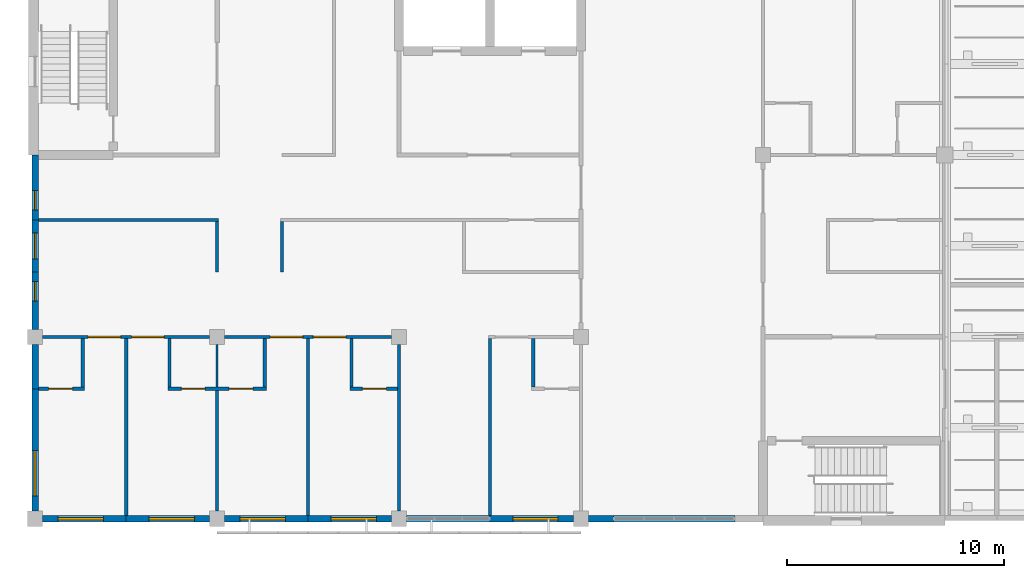
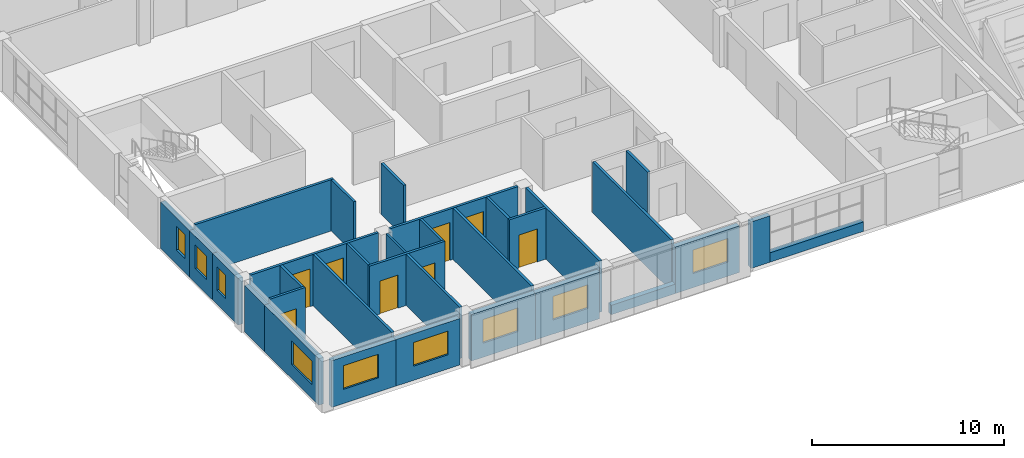
# One storey, part 27 of 61: 32 walls, 9 windows, 8 doors, 17 openings.
"""IFC4 building model written with IfcOpenShell, lengths in metres."""

from ifc_helpers import new_model, si_unit, direction, frame, frame_2d, origin, place, context, subcontext, project, spatial, rectangle, extrude, material, layer, layer_set, type_object, element, fill, save


model = new_model("IFC4")

# Units and contexts
model_context = context("Model", 3, precision=1e-05, world=origin(), true_north=direction((0.0, 1.0)))
body_context = subcontext(model_context, "Body", "Model", "MODEL_VIEW")
ifc_project = project(units=[si_unit("LENGTHUNIT", "METRE"), si_unit("AREAUNIT", "SQUARE_METRE"), si_unit("VOLUMEUNIT", "CUBIC_METRE"), si_unit("PLANEANGLEUNIT", "RADIAN"), si_unit("MASSUNIT", "GRAM", prefix="KILO")], contexts=[model_context])

# Site, building, storey
site_placement = place(None, origin())
site = spatial("IfcSite", under=ifc_project, at=site_placement, CompositionType="ELEMENT")
building_placement = place(site_placement, origin())
building = spatial("IfcBuilding", under=site, at=building_placement, Name="Yavir Park General Hospital", CompositionType="ELEMENT")
storey_placement = place(building_placement, frame((0.0, 0.0, 15.300048828125)))
storey = spatial("IfcBuildingStorey", under=building, at=storey_placement, Name="L03", CompositionType="ELEMENT", Elevation=15.300048828125)

# Wall
ifc_material_1 = material(Name="Gypsum board partition on steel studs", Category="steel")
ifc_layer_1 = layer(ifc_material_1, 0.10009765625)
ifc_layer_set_1 = layer_set([ifc_layer_1], Name="Gypsum board partition on steel studs")
wall_type_1 = type_object("IfcWallType", Name="Gypsum board partition 100", PredefinedType="PARTITIONING", material=ifc_layer_set_1)
wall_1_placement = place(storey_placement, frame((8.39990234375, 6.074951171875, 0.0), z_axis=(0.0, 0.0, 1.0), x_axis=(0.0, 1.0, 0.0)))
element("IfcWall", 1, at=wall_1_placement, inside=storey, type_object=wall_type_1, Name="P10 L03-165", PredefinedType="PARTITIONING", context=body_context, shape_type="SweptSolid", body=[
    extrude(rectangle(XDim=1.97509765625, YDim=0.10009765625, at=frame_2d((0.987548828125, 0.0))), origin(), (0.0, 0.0, 1.0), 3.260009765625),
])

# Wall, opening, door
ifc_material_2 = material(Name="Gypsum board partition on steel studs", Category="steel")
ifc_layer_2 = layer(ifc_material_2, 0.14990234375)
ifc_layer_set_2 = layer_set([ifc_layer_2], Name="Gypsum board partition on steel studs")
wall_type_2 = type_object("IfcWallType", Name="Gypsum board partition 150", PredefinedType="PARTITIONING", material=ifc_layer_set_2)
wall_2_placement = place(storey_placement, frame((0.14990234375, 6.0, 0.0), z_axis=(0.0, 0.0, 1.0), x_axis=(1.0, 0.0, 0.0)))
wall_2 = element("IfcWall", 2, at=wall_2_placement, inside=storey, type_object=wall_type_2, Name="P15 L03-005", PredefinedType="PARTITIONING", context=body_context, shape_type="SweptSolid", body=[
    extrude(rectangle(XDim=2.125, YDim=0.14990234375, at=frame_2d((1.0625, 0.0))), origin(), (0.0, 0.0, 1.0), 3.260009765625),
])
opening_1_placement = place(wall_2_placement, frame((0.47509765625, 0.0, 0.0)))
opening_1 = element("IfcOpeningElement", 3, at=opening_1_placement, cuts=wall_2, Name="Opening L03.D005", PredefinedType="OPENING", context=body_context, shape_type="SweptSolid", body=[
    extrude(rectangle(XDim=1.10009765625, YDim=2.10009765625, at=frame_2d((0.550048828125, 1.050048828125))), frame((0.0, 0.0849609375, 0.0), z_axis=(0.0, -1.0, 0.0), x_axis=(1.0, 0.0, 0.0)), (0.0, 0.0, 1.0), 0.169921875),
])
ifc_material_3 = material(Name="Hollow metal frame, solid-core timber leaf", Category="wood")
door_type_1 = type_object("IfcDoorType", Name="Single swing door 1100 x 2100", OperationType="SINGLE_SWING_LEFT", PredefinedType="DOOR", material=ifc_material_3)
door_1_placement = place(opening_1_placement, origin())
door_1 = element("IfcDoor", 4, at=door_1_placement, inside=storey, type_object=door_type_1, Name="L03.D005", OperationType="SINGLE_SWING_LEFT", OverallHeight=2.10009765625, OverallWidth=1.10009765625, PredefinedType="DOOR", context=body_context, shape_type="SweptSolid", body=[
    extrude(rectangle(XDim=1.10009765625, YDim=2.10009765625, at=frame_2d((0.550048828125, 1.050048828125))), frame((0.0, 0.02490234375, 0.0), z_axis=(0.0, -1.0, 0.0), x_axis=(1.0, 0.0, 0.0)), (0.0, 0.0, 1.0), 0.050048828125),
])
fill(opening_1, door_1)

# Wall, openings, doors
wall_3_placement = place(storey_placement, frame((6.125, 6.0, 0.0), z_axis=(0.0, 0.0, 1.0), x_axis=(1.0, 0.0, 0.0)))
wall_3 = element("IfcWall", 5, at=wall_3_placement, inside=storey, type_object=wall_type_2, Name="P15 L03-006", PredefinedType="PARTITIONING", context=body_context, shape_type="SweptSolid", body=[
    extrude(rectangle(XDim=4.550048828125, YDim=0.14990234375, at=frame_2d((2.27490234375, 0.0))), origin(), (0.0, 0.0, 1.0), 3.260009765625),
])
opening_2_placement = place(wall_3_placement, frame((0.625, 0.0, 0.0)))
opening_2 = element("IfcOpeningElement", 6, at=opening_2_placement, cuts=wall_3, Name="Opening L03.D006", PredefinedType="OPENING", context=body_context, shape_type="SweptSolid", body=[
    extrude(rectangle(XDim=1.10009765625, YDim=2.10009765625, at=frame_2d((0.550048828125, 1.050048828125))), frame((0.0, 0.0849609375, 0.0), z_axis=(0.0, -1.0, 0.0), x_axis=(1.0, 0.0, 0.0)), (0.0, 0.0, 1.0), 0.169921875),
])
opening_3_placement = place(wall_3_placement, frame((2.824951171875, 0.0, 0.0)))
opening_3 = element("IfcOpeningElement", 7, at=opening_3_placement, cuts=wall_3, Name="Opening L03.D007", PredefinedType="OPENING", context=body_context, shape_type="SweptSolid", body=[
    extrude(rectangle(XDim=1.10009765625, YDim=2.10009765625, at=frame_2d((0.550048828125, 1.050048828125))), frame((0.0, 0.0849609375, 0.0), z_axis=(0.0, -1.0, 0.0), x_axis=(1.0, 0.0, 0.0)), (0.0, 0.0, 1.0), 0.169921875),
])
door_2_placement = place(opening_2_placement, origin())
door_2 = element("IfcDoor", 8, at=door_2_placement, inside=storey, type_object=door_type_1, Name="L03.D006", OperationType="SINGLE_SWING_RIGHT", OverallHeight=2.10009765625, OverallWidth=1.10009765625, PredefinedType="DOOR", context=body_context, shape_type="SweptSolid", body=[
    extrude(rectangle(XDim=1.10009765625, YDim=2.10009765625, at=frame_2d((0.550048828125, 1.050048828125))), frame((0.0, 0.02490234375, 0.0), z_axis=(0.0, -1.0, 0.0), x_axis=(1.0, 0.0, 0.0)), (0.0, 0.0, 1.0), 0.050048828125),
])
fill(opening_2, door_2)
door_3_placement = place(opening_3_placement, origin())
door_3 = element("IfcDoor", 9, at=door_3_placement, inside=storey, type_object=door_type_1, Name="L03.D007", OperationType="SINGLE_SWING_LEFT", OverallHeight=2.10009765625, OverallWidth=1.10009765625, PredefinedType="DOOR", context=body_context, shape_type="SweptSolid", body=[
    extrude(rectangle(XDim=1.10009765625, YDim=2.10009765625, at=frame_2d((0.550048828125, 1.050048828125))), frame((0.0, 0.02490234375, 0.0), z_axis=(0.0, -1.0, 0.0), x_axis=(1.0, 0.0, 0.0)), (0.0, 0.0, 1.0), 0.050048828125),
])
fill(opening_3, door_3)

# Wall, opening, door
wall_4_placement = place(storey_placement, frame((14.52490234375, 6.0, 0.0), z_axis=(0.0, 0.0, 1.0), x_axis=(1.0, 0.0, 0.0)))
wall_4 = element("IfcWall", 10, at=wall_4_placement, inside=storey, type_object=wall_type_2, Name="P15 L03-007", PredefinedType="PARTITIONING", context=body_context, shape_type="SweptSolid", body=[
    extrude(rectangle(XDim=2.2001953125, YDim=0.14990234375, at=frame_2d((1.10009765625, 0.0))), origin(), (0.0, 0.0, 1.0), 3.260009765625),
])
opening_4_placement = place(wall_4_placement, frame((0.58740234375, 0.0, 0.0)))
opening_4 = element("IfcOpeningElement", 11, at=opening_4_placement, cuts=wall_4, Name="Opening L03.D008", PredefinedType="OPENING", context=body_context, shape_type="SweptSolid", body=[
    extrude(rectangle(XDim=1.10009765625, YDim=2.10009765625, at=frame_2d((0.550048828125, 1.050048828125))), frame((0.0, 0.0849609375, 0.0), z_axis=(0.0, -1.0, 0.0), x_axis=(1.0, 0.0, 0.0)), (0.0, 0.0, 1.0), 0.169921875),
])
door_4_placement = place(opening_4_placement, origin())
door_4 = element("IfcDoor", 12, at=door_4_placement, inside=storey, type_object=door_type_1, Name="L03.D008", OperationType="SINGLE_SWING_RIGHT", OverallHeight=2.10009765625, OverallWidth=1.10009765625, PredefinedType="DOOR", context=body_context, shape_type="SweptSolid", body=[
    extrude(rectangle(XDim=1.10009765625, YDim=2.10009765625, at=frame_2d((0.550048828125, 1.050048828125))), frame((0.0, 0.02490234375, 0.0), z_axis=(0.0, -1.0, 0.0), x_axis=(1.0, 0.0, 0.0)), (0.0, 0.0, 1.0), 0.050048828125),
])
fill(opening_4, door_4)

# Wall, openings, doors
wall_5_placement = place(storey_placement, frame((0.35009765625, 8.39990234375, 0.0), z_axis=(0.0, 0.0, 1.0), x_axis=(1.0, 0.0, 0.0)))
wall_5 = element("IfcWall", 13, at=wall_5_placement, inside=storey, type_object=wall_type_2, Name="P15 L03-014", PredefinedType="PARTITIONING", context=body_context, shape_type="SweptSolid", body=[
    extrude(rectangle(XDim=7.699951171875, YDim=0.14990234375, at=frame_2d((3.85009765625, 0.0))), origin(), (0.0, 0.0, 1.0), 3.260009765625),
])
opening_5_placement = place(wall_5_placement, frame((2.10009765625, 0.0, 0.0)))
opening_5 = element("IfcOpeningElement", 14, at=opening_5_placement, cuts=wall_5, Name="Opening L03.D020", PredefinedType="OPENING", context=body_context, shape_type="SweptSolid", body=[
    extrude(rectangle(XDim=1.5, YDim=2.39990234375, at=frame_2d((0.75, 1.199951171875))), frame((0.0, 0.0849609375, 0.0), z_axis=(0.0, -1.0, 0.0), x_axis=(1.0, 0.0, 0.0)), (0.0, 0.0, 1.0), 0.169921875),
])
opening_6_placement = place(wall_5_placement, frame((4.10009765625, 0.0, 0.0)))
opening_6 = element("IfcOpeningElement", 15, at=opening_6_placement, cuts=wall_5, Name="Opening L03.D021", PredefinedType="OPENING", context=body_context, shape_type="SweptSolid", body=[
    extrude(rectangle(XDim=1.5, YDim=2.39990234375, at=frame_2d((0.75, 1.199951171875))), frame((0.0, 0.0849609375, 0.0), z_axis=(0.0, -1.0, 0.0), x_axis=(1.0, 0.0, 0.0)), (0.0, 0.0, 1.0), 0.169921875),
])
ifc_material_4 = material(Name="Solid-core timber leaves, push plates, kick plates", Category="wood")
door_type_2 = type_object("IfcDoorType", Name="Bed door, unequal leaves 1500 x 2400", OperationType="DOUBLE_DOOR_SINGLE_SWING", PredefinedType="DOOR", material=ifc_material_4)
door_5_placement = place(opening_5_placement, origin())
door_5 = element("IfcDoor", 16, at=door_5_placement, inside=storey, type_object=door_type_2, Name="L03.D020", OperationType="SINGLE_SWING_LEFT", OverallHeight=2.39990234375, OverallWidth=1.5, PredefinedType="DOOR", context=body_context, shape_type="SweptSolid", body=[
    extrude(rectangle(XDim=1.5, YDim=2.39990234375, at=frame_2d((0.75, 1.199951171875))), frame((0.0, 0.030029296875, 0.0), z_axis=(0.0, -1.0, 0.0), x_axis=(1.0, 0.0, 0.0)), (0.0, 0.0, 1.0), 0.06005859375),
])
fill(opening_5, door_5)
door_6_placement = place(opening_6_placement, origin())
door_6 = element("IfcDoor", 17, at=door_6_placement, inside=storey, type_object=door_type_2, Name="L03.D021", OperationType="SINGLE_SWING_LEFT", OverallHeight=2.39990234375, OverallWidth=1.5, PredefinedType="DOOR", context=body_context, shape_type="SweptSolid", body=[
    extrude(rectangle(XDim=1.5, YDim=2.39990234375, at=frame_2d((0.75, 1.199951171875))), frame((0.0, 0.030029296875, 0.0), z_axis=(0.0, -1.0, 0.0), x_axis=(1.0, 0.0, 0.0)), (0.0, 0.0, 1.0), 0.06005859375),
])
fill(opening_6, door_6)

wall_6_placement = place(storey_placement, frame((8.75, 8.39990234375, 0.0), z_axis=(0.0, 0.0, 1.0), x_axis=(1.0, 0.0, 0.0)))
wall_6 = element("IfcWall", 18, at=wall_6_placement, inside=storey, type_object=wall_type_2, Name="P15 L03-015", PredefinedType="PARTITIONING", context=body_context, shape_type="SweptSolid", body=[
    extrude(rectangle(XDim=7.699951171875, YDim=0.14990234375, at=frame_2d((3.85009765625, 0.0))), origin(), (0.0, 0.0, 1.0), 3.260009765625),
])
opening_7_placement = place(wall_6_placement, frame((2.10009765625, 0.0, 0.0)))
opening_7 = element("IfcOpeningElement", 19, at=opening_7_placement, cuts=wall_6, Name="Opening L03.D022", PredefinedType="OPENING", context=body_context, shape_type="SweptSolid", body=[
    extrude(rectangle(XDim=1.5, YDim=2.39990234375, at=frame_2d((0.75, 1.199951171875))), frame((0.0, 0.0849609375, 0.0), z_axis=(0.0, -1.0, 0.0), x_axis=(1.0, 0.0, 0.0)), (0.0, 0.0, 1.0), 0.169921875),
])
opening_8_placement = place(wall_6_placement, frame((4.10009765625, 0.0, 0.0)))
opening_8 = element("IfcOpeningElement", 20, at=opening_8_placement, cuts=wall_6, Name="Opening L03.D023", PredefinedType="OPENING", context=body_context, shape_type="SweptSolid", body=[
    extrude(rectangle(XDim=1.5, YDim=2.39990234375, at=frame_2d((0.75, 1.199951171875))), frame((0.0, 0.0849609375, 0.0), z_axis=(0.0, -1.0, 0.0), x_axis=(1.0, 0.0, 0.0)), (0.0, 0.0, 1.0), 0.169921875),
])
door_7_placement = place(opening_7_placement, origin())
door_7 = element("IfcDoor", 21, at=door_7_placement, inside=storey, type_object=door_type_2, Name="L03.D022", OperationType="SINGLE_SWING_LEFT", OverallHeight=2.39990234375, OverallWidth=1.5, PredefinedType="DOOR", context=body_context, shape_type="SweptSolid", body=[
    extrude(rectangle(XDim=1.5, YDim=2.39990234375, at=frame_2d((0.75, 1.199951171875))), frame((0.0, 0.030029296875, 0.0), z_axis=(0.0, -1.0, 0.0), x_axis=(1.0, 0.0, 0.0)), (0.0, 0.0, 1.0), 0.06005859375),
])
fill(opening_7, door_7)
door_8_placement = place(opening_8_placement, origin())
door_8 = element("IfcDoor", 22, at=door_8_placement, inside=storey, type_object=door_type_2, Name="L03.D023", OperationType="SINGLE_SWING_LEFT", OverallHeight=2.39990234375, OverallWidth=1.5, PredefinedType="DOOR", context=body_context, shape_type="SweptSolid", body=[
    extrude(rectangle(XDim=1.5, YDim=2.39990234375, at=frame_2d((0.75, 1.199951171875))), frame((0.0, 0.030029296875, 0.0), z_axis=(0.0, -1.0, 0.0), x_axis=(1.0, 0.0, 0.0)), (0.0, 0.0, 1.0), 0.06005859375),
])
fill(opening_8, door_8)

# Walls
wall_7_placement = place(storey_placement, frame((0.14990234375, 13.800048828125, 0.0), z_axis=(0.0, 0.0, 1.0), x_axis=(1.0, 0.0, 0.0)))
element("IfcWall", 23, at=wall_7_placement, inside=storey, type_object=wall_type_2, Name="P15 L03-034", PredefinedType="PARTITIONING", context=body_context, shape_type="SweptSolid", body=[
    extrude(rectangle(XDim=8.3251953125, YDim=0.14990234375, at=frame_2d((4.16259765625, 0.0))), origin(), (0.0, 0.0, 1.0), 3.260009765625),
])
wall_8_placement = place(storey_placement, frame((2.199951171875, 6.074951171875, 0.0), z_axis=(0.0, 0.0, 1.0), x_axis=(0.0, 1.0, 0.0)))
element("IfcWall", 24, at=wall_8_placement, inside=storey, type_object=wall_type_2, Name="P15 L03-147", PredefinedType="PARTITIONING", context=body_context, shape_type="SweptSolid", body=[
    extrude(rectangle(XDim=2.25, YDim=0.14990234375, at=frame_2d((1.125, 0.0))), origin(), (0.0, 0.0, 1.0), 3.260009765625),
])
wall_9_placement = place(storey_placement, frame((4.199951171875, 0.14990234375, 0.0), z_axis=(0.0, 0.0, 1.0), x_axis=(0.0, 1.0, 0.0)))
element("IfcWall", 25, at=wall_9_placement, inside=storey, type_object=wall_type_2, Name="P15 L03-150", PredefinedType="PARTITIONING", context=body_context, shape_type="SweptSolid", body=[
    extrude(rectangle(XDim=8.175048828125, YDim=0.14990234375, at=frame_2d((4.08740234375, 0.0))), origin(), (0.0, 0.0, 1.0), 3.260009765625),
])
wall_10_placement = place(storey_placement, frame((6.199951171875, 6.074951171875, 0.0), z_axis=(0.0, 0.0, 1.0), x_axis=(0.0, 1.0, 0.0)))
element("IfcWall", 26, at=wall_10_placement, inside=storey, type_object=wall_type_2, Name="P15 L03-163", PredefinedType="PARTITIONING", context=body_context, shape_type="SweptSolid", body=[
    extrude(rectangle(XDim=2.25, YDim=0.14990234375, at=frame_2d((1.125, 0.0))), origin(), (0.0, 0.0, 1.0), 3.260009765625),
])
wall_11_placement = place(storey_placement, frame((8.39990234375, 0.35009765625, 0.0), z_axis=(0.0, 0.0, 1.0), x_axis=(0.0, 1.0, 0.0)))
element("IfcWall", 27, at=wall_11_placement, inside=storey, type_object=wall_type_2, Name="P15 L03-164", PredefinedType="PARTITIONING", context=body_context, shape_type="SweptSolid", body=[
    extrude(rectangle(XDim=5.574951171875, YDim=0.14990234375, at=frame_2d((2.78759765625, 0.0))), origin(), (0.0, 0.0, 1.0), 3.260009765625),
])
wall_12_placement = place(storey_placement, frame((8.39990234375, 11.39990234375, 0.0), z_axis=(0.0, 0.0, 1.0), x_axis=(0.0, 1.0, 0.0)))
element("IfcWall", 28, at=wall_12_placement, inside=storey, type_object=wall_type_2, Name="P15 L03-166", PredefinedType="PARTITIONING", context=body_context, shape_type="SweptSolid", body=[
    extrude(rectangle(XDim=2.3251953125, YDim=0.14990234375, at=frame_2d((1.16259765625, 0.0))), origin(), (0.0, 0.0, 1.0), 3.260009765625),
])
wall_13_placement = place(storey_placement, frame((10.60009765625, 6.074951171875, 0.0), z_axis=(0.0, 0.0, 1.0), x_axis=(0.0, 1.0, 0.0)))
element("IfcWall", 29, at=wall_13_placement, inside=storey, type_object=wall_type_2, Name="P15 L03-177", PredefinedType="PARTITIONING", context=body_context, shape_type="SweptSolid", body=[
    extrude(rectangle(XDim=2.25, YDim=0.14990234375, at=frame_2d((1.125, 0.0))), origin(), (0.0, 0.0, 1.0), 3.260009765625),
])
wall_14_placement = place(storey_placement, frame((11.39990234375, 11.39990234375, 0.0), z_axis=(0.0, 0.0, 1.0), x_axis=(0.0, 1.0, 0.0)))
element("IfcWall", 30, at=wall_14_placement, inside=storey, type_object=wall_type_2, Name="P15 L03-178", PredefinedType="PARTITIONING", context=body_context, shape_type="SweptSolid", body=[
    extrude(rectangle(XDim=2.3251953125, YDim=0.14990234375, at=frame_2d((1.16259765625, 0.0))), origin(), (0.0, 0.0, 1.0), 3.260009765625),
])
wall_15_placement = place(storey_placement, frame((12.60009765625, 0.14990234375, 0.0), z_axis=(0.0, 0.0, 1.0), x_axis=(0.0, 1.0, 0.0)))
element("IfcWall", 31, at=wall_15_placement, inside=storey, type_object=wall_type_2, Name="P15 L03-182", PredefinedType="PARTITIONING", context=body_context, shape_type="SweptSolid", body=[
    extrude(rectangle(XDim=8.175048828125, YDim=0.14990234375, at=frame_2d((4.08740234375, 0.0))), origin(), (0.0, 0.0, 1.0), 3.260009765625),
])
wall_16_placement = place(storey_placement, frame((14.60009765625, 6.074951171875, 0.0), z_axis=(0.0, 0.0, 1.0), x_axis=(0.0, 1.0, 0.0)))
element("IfcWall", 32, at=wall_16_placement, inside=storey, type_object=wall_type_2, Name="P15 L03-187", PredefinedType="PARTITIONING", context=body_context, shape_type="SweptSolid", body=[
    extrude(rectangle(XDim=2.25, YDim=0.14990234375, at=frame_2d((1.125, 0.0))), origin(), (0.0, 0.0, 1.0), 3.260009765625),
])
wall_17_placement = place(storey_placement, frame((16.800048828125, 0.35009765625, 0.0), z_axis=(0.0, 0.0, 1.0), x_axis=(0.0, 1.0, 0.0)))
element("IfcWall", 33, at=wall_17_placement, inside=storey, type_object=wall_type_2, Name="P15 L03-188", PredefinedType="PARTITIONING", context=body_context, shape_type="SweptSolid", body=[
    extrude(rectangle(XDim=7.699951171875, YDim=0.14990234375, at=frame_2d((3.85009765625, 0.0))), origin(), (0.0, 0.0, 1.0), 3.260009765625),
])
wall_18_placement = place(storey_placement, frame((21.0, 0.14990234375, 0.0), z_axis=(0.0, 0.0, 1.0), x_axis=(0.0, 1.0, 0.0)))
element("IfcWall", 34, at=wall_18_placement, inside=storey, type_object=wall_type_2, Name="P15 L03-210", PredefinedType="PARTITIONING", context=body_context, shape_type="SweptSolid", body=[
    extrude(rectangle(XDim=8.175048828125, YDim=0.14990234375, at=frame_2d((4.08740234375, 0.0))), origin(), (0.0, 0.0, 1.0), 3.260009765625),
])
wall_19_placement = place(storey_placement, frame((23.0, 6.074951171875, 0.0), z_axis=(0.0, 0.0, 1.0), x_axis=(0.0, 1.0, 0.0)))
element("IfcWall", 35, at=wall_19_placement, inside=storey, type_object=wall_type_2, Name="P15 L03-215", PredefinedType="PARTITIONING", context=body_context, shape_type="SweptSolid", body=[
    extrude(rectangle(XDim=2.25, YDim=0.14990234375, at=frame_2d((1.125, 0.0))), origin(), (0.0, 0.0, 1.0), 3.260009765625),
])

# Wall, opening, window
ifc_material_5 = material(Name="Autoclaved aerated block, mineral wool and ochre mineral render")
ifc_layer_3 = layer(ifc_material_5, 0.300048828125)
ifc_layer_set_3 = layer_set([ifc_layer_3], Name="Autoclaved aerated block, mineral wool and ochre mineral render")
wall_type_3 = type_object("IfcWallType", Name="Ochre render ward wall 300, E 30", PredefinedType="SOLIDWALL", material=ifc_layer_set_3)
wall_20_placement = place(storey_placement, frame((0.35009765625, 0.0, 0.0), z_axis=(0.0, 0.0, 1.0), x_axis=(1.0, 0.0, 0.0)))
wall_20 = element("IfcWall", 36, at=wall_20_placement, inside=storey, type_object=wall_type_3, Name="XW7 L03-001", PredefinedType="SOLIDWALL", context=body_context, shape_type="SweptSolid", body=[
    extrude(rectangle(XDim=3.849853515625, YDim=0.300048828125, at=frame_2d((1.9248046875, 0.0))), origin(), (0.0, 0.0, 1.0), 2.9599609375),
])
opening_9_placement = place(wall_20_placement, frame((0.699951171875, 0.0, 0.89990234375)))
opening_9 = element("IfcOpeningElement", 37, at=opening_9_placement, cuts=wall_20, Name="Opening WAR", PredefinedType="OPENING", context=body_context, shape_type="SweptSolid", body=[
    extrude(rectangle(XDim=2.10009765625, YDim=1.5, at=frame_2d((1.050048828125, 0.75))), frame((0.0, 0.159912109375, 0.0), z_axis=(0.0, -1.0, 0.0), x_axis=(1.0, 0.0, 0.0)), (0.0, 0.0, 1.0), 0.320068359375),
])
ifc_material_6 = material(Name="Aluminium frame, tilt-and-turn sash with opening restrictor, double glazed unit", Category="aluminium")
window_type_1 = type_object("IfcWindowType", Name="Ward window, restricted opening 2100 x 1500", PartitioningType="DOUBLE_PANEL_VERTICAL", PredefinedType="WINDOW", material=ifc_material_6)
window_1_placement = place(opening_9_placement, origin())
window_1 = element("IfcWindow", 38, at=window_1_placement, inside=storey, type_object=window_type_1, Name="WAR L03-001", OverallHeight=1.5, OverallWidth=2.10009765625, PartitioningType="DOUBLE_PANEL_VERTICAL", PredefinedType="WINDOW", context=body_context, shape_type="SweptSolid", body=[
    extrude(rectangle(XDim=2.10009765625, YDim=1.5, at=frame_2d((1.050048828125, 0.75))), frame((0.0, 0.050048828125, 0.0), z_axis=(0.0, -1.0, 0.0), x_axis=(1.0, 0.0, 0.0)), (0.0, 0.0, 1.0), 0.10009765625),
])
fill(opening_9, window_1)

wall_21_placement = place(storey_placement, frame((4.199951171875, 0.0, 0.0), z_axis=(0.0, 0.0, 1.0), x_axis=(1.0, 0.0, 0.0)))
wall_21 = element("IfcWall", 39, at=wall_21_placement, inside=storey, type_object=wall_type_3, Name="XW7 L03-002", PredefinedType="SOLIDWALL", context=body_context, shape_type="SweptSolid", body=[
    extrude(rectangle(XDim=3.85009765625, YDim=0.300048828125, at=frame_2d((1.925048828125, 0.0))), origin(), (0.0, 0.0, 1.0), 2.9599609375),
])
opening_10_placement = place(wall_21_placement, frame((1.050048828125, 0.0, 0.89990234375)))
opening_10 = element("IfcOpeningElement", 40, at=opening_10_placement, cuts=wall_21, Name="Opening WAR", PredefinedType="OPENING", context=body_context, shape_type="SweptSolid", body=[
    extrude(rectangle(XDim=2.10009765625, YDim=1.5, at=frame_2d((1.050048828125, 0.75))), frame((0.0, 0.159912109375, 0.0), z_axis=(0.0, -1.0, 0.0), x_axis=(1.0, 0.0, 0.0)), (0.0, 0.0, 1.0), 0.320068359375),
])
window_2_placement = place(opening_10_placement, origin())
window_2 = element("IfcWindow", 41, at=window_2_placement, inside=storey, type_object=window_type_1, Name="WAR L03-002", OverallHeight=1.5, OverallWidth=2.10009765625, PartitioningType="DOUBLE_PANEL_VERTICAL", PredefinedType="WINDOW", context=body_context, shape_type="SweptSolid", body=[
    extrude(rectangle(XDim=2.10009765625, YDim=1.5, at=frame_2d((1.050048828125, 0.75))), frame((0.0, 0.050048828125, 0.0), z_axis=(0.0, -1.0, 0.0), x_axis=(1.0, 0.0, 0.0)), (0.0, 0.0, 1.0), 0.10009765625),
])
fill(opening_10, window_2)

wall_22_placement = place(storey_placement, frame((8.75, 0.0, 0.0), z_axis=(0.0, 0.0, 1.0), x_axis=(1.0, 0.0, 0.0)))
wall_22 = element("IfcWall", 42, at=wall_22_placement, inside=storey, type_object=wall_type_3, Name="XW7 L03-003", PredefinedType="SOLIDWALL", context=body_context, shape_type="SweptSolid", body=[
    extrude(rectangle(XDim=3.85009765625, YDim=0.300048828125, at=frame_2d((1.925048828125, 0.0))), origin(), (0.0, 0.0, 1.0), 2.9599609375),
])
opening_11_placement = place(wall_22_placement, frame((0.699951171875, 0.0, 0.89990234375)))
opening_11 = element("IfcOpeningElement", 43, at=opening_11_placement, cuts=wall_22, Name="Opening WAR", PredefinedType="OPENING", context=body_context, shape_type="SweptSolid", body=[
    extrude(rectangle(XDim=2.10009765625, YDim=1.5, at=frame_2d((1.050048828125, 0.75))), frame((0.0, 0.159912109375, 0.0), z_axis=(0.0, -1.0, 0.0), x_axis=(1.0, 0.0, 0.0)), (0.0, 0.0, 1.0), 0.320068359375),
])
window_3_placement = place(opening_11_placement, origin())
window_3 = element("IfcWindow", 44, at=window_3_placement, inside=storey, type_object=window_type_1, Name="WAR L03-003", OverallHeight=1.5, OverallWidth=2.10009765625, PartitioningType="DOUBLE_PANEL_VERTICAL", PredefinedType="WINDOW", context=body_context, shape_type="SweptSolid", body=[
    extrude(rectangle(XDim=2.10009765625, YDim=1.5, at=frame_2d((1.050048828125, 0.75))), frame((0.0, 0.050048828125, 0.0), z_axis=(0.0, -1.0, 0.0), x_axis=(1.0, 0.0, 0.0)), (0.0, 0.0, 1.0), 0.10009765625),
])
fill(opening_11, window_3)

wall_23_placement = place(storey_placement, frame((12.60009765625, 0.0, 0.0), z_axis=(0.0, 0.0, 1.0), x_axis=(1.0, 0.0, 0.0)))
wall_23 = element("IfcWall", 45, at=wall_23_placement, inside=storey, type_object=wall_type_3, Name="XW7 L03-004", PredefinedType="SOLIDWALL", context=body_context, shape_type="SweptSolid", body=[
    extrude(rectangle(XDim=3.849853515625, YDim=0.300048828125, at=frame_2d((1.9248046875, 0.0))), origin(), (0.0, 0.0, 1.0), 2.9599609375),
])
opening_12_placement = place(wall_23_placement, frame((1.050048828125, 0.0, 0.89990234375)))
opening_12 = element("IfcOpeningElement", 46, at=opening_12_placement, cuts=wall_23, Name="Opening WAR", PredefinedType="OPENING", context=body_context, shape_type="SweptSolid", body=[
    extrude(rectangle(XDim=2.10009765625, YDim=1.5, at=frame_2d((1.050048828125, 0.75))), frame((0.0, 0.159912109375, 0.0), z_axis=(0.0, -1.0, 0.0), x_axis=(1.0, 0.0, 0.0)), (0.0, 0.0, 1.0), 0.320068359375),
])
window_4_placement = place(opening_12_placement, origin())
window_4 = element("IfcWindow", 47, at=window_4_placement, inside=storey, type_object=window_type_1, Name="WAR L03-004", OverallHeight=1.5, OverallWidth=2.10009765625, PartitioningType="DOUBLE_PANEL_VERTICAL", PredefinedType="WINDOW", context=body_context, shape_type="SweptSolid", body=[
    extrude(rectangle(XDim=2.10009765625, YDim=1.5, at=frame_2d((1.050048828125, 0.75))), frame((0.0, 0.050048828125, 0.0), z_axis=(0.0, -1.0, 0.0), x_axis=(1.0, 0.0, 0.0)), (0.0, 0.0, 1.0), 0.10009765625),
])
fill(opening_12, window_4)

# Wall
wall_24_placement = place(storey_placement, frame((17.14990234375, 0.0, 0.0), z_axis=(0.0, 0.0, 1.0), x_axis=(1.0, 0.0, 0.0)))
element("IfcWall", 48, at=wall_24_placement, inside=storey, type_object=wall_type_3, Name="XW7 L03-005", PredefinedType="SOLIDWALL", context=body_context, shape_type="SweptSolid", body=[
    extrude(rectangle(XDim=3.85009765625, YDim=0.300048828125, at=frame_2d((1.925048828125, 0.0))), origin(), (0.0, 0.0, 1.0), 0.599853515625),
])

# Wall, opening, window
wall_25_placement = place(storey_placement, frame((21.0, 0.0, 0.0), z_axis=(0.0, 0.0, 1.0), x_axis=(1.0, 0.0, 0.0)))
wall_25 = element("IfcWall", 49, at=wall_25_placement, inside=storey, type_object=wall_type_3, Name="XW7 L03-006", PredefinedType="SOLIDWALL", context=body_context, shape_type="SweptSolid", body=[
    extrude(rectangle(XDim=3.85009765625, YDim=0.300048828125, at=frame_2d((1.925048828125, 0.0))), origin(), (0.0, 0.0, 1.0), 2.9599609375),
])
opening_13_placement = place(wall_25_placement, frame((1.050048828125, 0.0, 0.89990234375)))
opening_13 = element("IfcOpeningElement", 50, at=opening_13_placement, cuts=wall_25, Name="Opening WAR", PredefinedType="OPENING", context=body_context, shape_type="SweptSolid", body=[
    extrude(rectangle(XDim=2.10009765625, YDim=1.5, at=frame_2d((1.050048828125, 0.75))), frame((0.0, 0.159912109375, 0.0), z_axis=(0.0, -1.0, 0.0), x_axis=(1.0, 0.0, 0.0)), (0.0, 0.0, 1.0), 0.320068359375),
])
window_5_placement = place(opening_13_placement, origin())
window_5 = element("IfcWindow", 51, at=window_5_placement, inside=storey, type_object=window_type_1, Name="WAR L03-005", OverallHeight=1.5, OverallWidth=2.10009765625, PartitioningType="DOUBLE_PANEL_VERTICAL", PredefinedType="WINDOW", context=body_context, shape_type="SweptSolid", body=[
    extrude(rectangle(XDim=2.10009765625, YDim=1.5, at=frame_2d((1.050048828125, 0.75))), frame((0.0, 0.050048828125, 0.0), z_axis=(0.0, -1.0, 0.0), x_axis=(1.0, 0.0, 0.0)), (0.0, 0.0, 1.0), 0.10009765625),
])
fill(opening_13, window_5)

# Walls
wall_26_placement = place(storey_placement, frame((25.550048828125, 0.0, 0.0), z_axis=(0.0, 0.0, 1.0), x_axis=(1.0, 0.0, 0.0)))
element("IfcWall", 52, at=wall_26_placement, inside=storey, type_object=wall_type_3, Name="XW7 L03-007", PredefinedType="SOLIDWALL", context=body_context, shape_type="SweptSolid", body=[
    extrude(rectangle(XDim=1.14990234375, YDim=0.300048828125, at=frame_2d((0.574951171875, 0.0))), origin(), (0.0, 0.0, 1.0), 2.9599609375),
])
wall_27_placement = place(storey_placement, frame((26.699951171875, 0.0, 0.0), z_axis=(0.0, 0.0, 1.0), x_axis=(1.0, 0.0, 0.0)))
element("IfcWall", 53, at=wall_27_placement, inside=storey, type_object=wall_type_3, Name="XW7 L03-009", PredefinedType="SOLIDWALL", context=body_context, shape_type="SweptSolid", body=[
    extrude(rectangle(XDim=5.60009765625, YDim=0.300048828125, at=frame_2d((2.800048828125, 0.0))), origin(), (0.0, 0.0, 1.0), 0.599853515625),
])

# Wall, opening, window
wall_28_placement = place(storey_placement, frame((0.0, 0.35009765625, 0.0), z_axis=(0.0, 0.0, 1.0), x_axis=(0.0, 1.0, 0.0)))
wall_28 = element("IfcWall", 54, at=wall_28_placement, inside=storey, type_object=wall_type_3, Name="XW7 L03-092", PredefinedType="SOLIDWALL", context=body_context, shape_type="SweptSolid", body=[
    extrude(rectangle(XDim=5.64990234375, YDim=0.300048828125, at=frame_2d((2.824951171875, 0.0))), origin(), (0.0, 0.0, 1.0), 2.9599609375),
])
opening_14_placement = place(wall_28_placement, frame((0.699951171875, 0.0, 0.89990234375)))
opening_14 = element("IfcOpeningElement", 55, at=opening_14_placement, cuts=wall_28, Name="Opening WAR", PredefinedType="OPENING", context=body_context, shape_type="SweptSolid", body=[
    extrude(rectangle(XDim=2.10009765625, YDim=1.5, at=frame_2d((1.050048828125, 0.75))), frame((0.0, 0.159912109375, 0.0), z_axis=(0.0, -1.0, 0.0), x_axis=(1.0, 0.0, 0.0)), (0.0, 0.0, 1.0), 0.320068359375),
])
window_6_placement = place(opening_14_placement, origin())
window_6 = element("IfcWindow", 56, at=window_6_placement, inside=storey, type_object=window_type_1, Name="WAR L03-044", OverallHeight=1.5, OverallWidth=2.10009765625, PartitioningType="DOUBLE_PANEL_VERTICAL", PredefinedType="WINDOW", context=body_context, shape_type="SweptSolid", body=[
    extrude(rectangle(XDim=2.10009765625, YDim=1.5, at=frame_2d((1.050048828125, 0.75))), frame((0.0, 0.050048828125, 0.0), z_axis=(0.0, -1.0, 0.0), x_axis=(1.0, 0.0, 0.0)), (0.0, 0.0, 1.0), 0.10009765625),
])
fill(opening_14, window_6)

# Wall
wall_29_placement = place(storey_placement, frame((0.0, 6.0, 0.0), z_axis=(0.0, 0.0, 1.0), x_axis=(0.0, 1.0, 0.0)))
element("IfcWall", 57, at=wall_29_placement, inside=storey, type_object=wall_type_3, Name="XW7 L03-093", PredefinedType="SOLIDWALL", context=body_context, shape_type="SweptSolid", body=[
    extrude(rectangle(XDim=2.050048828125, YDim=0.300048828125, at=frame_2d((1.02490234375, 0.0))), origin(), (0.0, 0.0, 1.0), 2.9599609375),
])

# Wall, opening, window
wall_30_placement = place(storey_placement, frame((0.0, 8.75, 0.0), z_axis=(0.0, 0.0, 1.0), x_axis=(0.0, 1.0, 0.0)))
wall_30 = element("IfcWall", 58, at=wall_30_placement, inside=storey, type_object=wall_type_3, Name="XW7 L03-094", PredefinedType="SOLIDWALL", context=body_context, shape_type="SweptSolid", body=[
    extrude(rectangle(XDim=2.64990234375, YDim=0.300048828125, at=frame_2d((1.324951171875, 0.0))), origin(), (0.0, 0.0, 1.0), 2.9599609375),
])
opening_15_placement = place(wall_30_placement, frame((1.300048828125, 0.0, 0.89990234375)))
opening_15 = element("IfcOpeningElement", 59, at=opening_15_placement, cuts=wall_30, Name="Opening WH", PredefinedType="OPENING", context=body_context, shape_type="SweptSolid", body=[
    extrude(rectangle(XDim=0.89990234375, YDim=1.5, at=frame_2d((0.449951171875, 0.75))), frame((0.0, 0.159912109375, 0.0), z_axis=(0.0, -1.0, 0.0), x_axis=(1.0, 0.0, 0.0)), (0.0, 0.0, 1.0), 0.320068359375),
])
ifc_material_7 = material(Name="Aluminium frame, double glazed unit", Category="aluminium")
window_type_2 = type_object("IfcWindowType", Name="Narrow window 900 x 1500", PartitioningType="SINGLE_PANEL", PredefinedType="WINDOW", material=ifc_material_7)
window_7_placement = place(opening_15_placement, origin())
window_7 = element("IfcWindow", 60, at=window_7_placement, inside=storey, type_object=window_type_2, Name="WH L03-045", OverallHeight=1.5, OverallWidth=0.89990234375, PartitioningType="SINGLE_PANEL", PredefinedType="WINDOW", context=body_context, shape_type="SweptSolid", body=[
    extrude(rectangle(XDim=0.89990234375, YDim=1.5, at=frame_2d((0.449951171875, 0.75))), frame((0.0, 0.030029296875, 0.0), z_axis=(0.0, -1.0, 0.0), x_axis=(1.0, 0.0, 0.0)), (0.0, 0.0, 1.0), 0.06005859375),
])
fill(opening_15, window_7)

wall_31_placement = place(storey_placement, frame((0.0, 11.39990234375, 0.0), z_axis=(0.0, 0.0, 1.0), x_axis=(0.0, 1.0, 0.0)))
wall_31 = element("IfcWall", 61, at=wall_31_placement, inside=storey, type_object=wall_type_3, Name="XW7 L03-095", PredefinedType="SOLIDWALL", context=body_context, shape_type="SweptSolid", body=[
    extrude(rectangle(XDim=2.400146484375, YDim=0.300048828125, at=frame_2d((1.2001953125, 0.0))), origin(), (0.0, 0.0, 1.0), 2.9599609375),
])
opening_16_placement = place(wall_31_placement, frame((0.60009765625, 0.0, 0.89990234375)))
opening_16 = element("IfcOpeningElement", 62, at=opening_16_placement, cuts=wall_31, Name="Opening WD", PredefinedType="OPENING", context=body_context, shape_type="SweptSolid", body=[
    extrude(rectangle(XDim=1.199951171875, YDim=1.5, at=frame_2d((0.60009765625, 0.75))), frame((0.0, 0.159912109375, 0.0), z_axis=(0.0, -1.0, 0.0), x_axis=(1.0, 0.0, 0.0)), (0.0, 0.0, 1.0), 0.320068359375),
])
ifc_material_8 = material(Name="Aluminium frame, double glazed unit", Category="aluminium")
window_type_3 = type_object("IfcWindowType", Name="Office window 1200 x 1500", PartitioningType="SINGLE_PANEL", PredefinedType="WINDOW", material=ifc_material_8)
window_8_placement = place(opening_16_placement, origin())
window_8 = element("IfcWindow", 63, at=window_8_placement, inside=storey, type_object=window_type_3, Name="WD L03-046", OverallHeight=1.5, OverallWidth=1.199951171875, PartitioningType="SINGLE_PANEL", PredefinedType="WINDOW", context=body_context, shape_type="SweptSolid", body=[
    extrude(rectangle(XDim=1.199951171875, YDim=1.5, at=frame_2d((0.60009765625, 0.75))), frame((0.0, 0.030029296875, 0.0), z_axis=(0.0, -1.0, 0.0), x_axis=(1.0, 0.0, 0.0)), (0.0, 0.0, 1.0), 0.06005859375),
])
fill(opening_16, window_8)

wall_32_placement = place(storey_placement, frame((0.0, 13.800048828125, 0.0), z_axis=(0.0, 0.0, 1.0), x_axis=(0.0, 1.0, 0.0)))
wall_32 = element("IfcWall", 64, at=wall_32_placement, inside=storey, type_object=wall_type_3, Name="XW7 L03-096", PredefinedType="SOLIDWALL", context=body_context, shape_type="SweptSolid", body=[
    extrude(rectangle(XDim=3.0, YDim=0.300048828125, at=frame_2d((1.5, 0.0))), origin(), (0.0, 0.0, 1.0), 2.9599609375),
])
opening_17_placement = place(wall_32_placement, frame((0.449951171875, 0.0, 0.89990234375)))
opening_17 = element("IfcOpeningElement", 65, at=opening_17_placement, cuts=wall_32, Name="Opening WH", PredefinedType="OPENING", context=body_context, shape_type="SweptSolid", body=[
    extrude(rectangle(XDim=0.89990234375, YDim=1.5, at=frame_2d((0.449951171875, 0.75))), frame((0.0, 0.159912109375, 0.0), z_axis=(0.0, -1.0, 0.0), x_axis=(1.0, 0.0, 0.0)), (0.0, 0.0, 1.0), 0.320068359375),
])
window_9_placement = place(opening_17_placement, origin())
window_9 = element("IfcWindow", 66, at=window_9_placement, inside=storey, type_object=window_type_2, Name="WH L03-047", OverallHeight=1.5, OverallWidth=0.89990234375, PartitioningType="SINGLE_PANEL", PredefinedType="WINDOW", context=body_context, shape_type="SweptSolid", body=[
    extrude(rectangle(XDim=0.89990234375, YDim=1.5, at=frame_2d((0.449951171875, 0.75))), frame((0.0, 0.030029296875, 0.0), z_axis=(0.0, -1.0, 0.0), x_axis=(1.0, 0.0, 0.0)), (0.0, 0.0, 1.0), 0.06005859375),
])
fill(opening_17, window_9)

save(model, "model.ifc")
